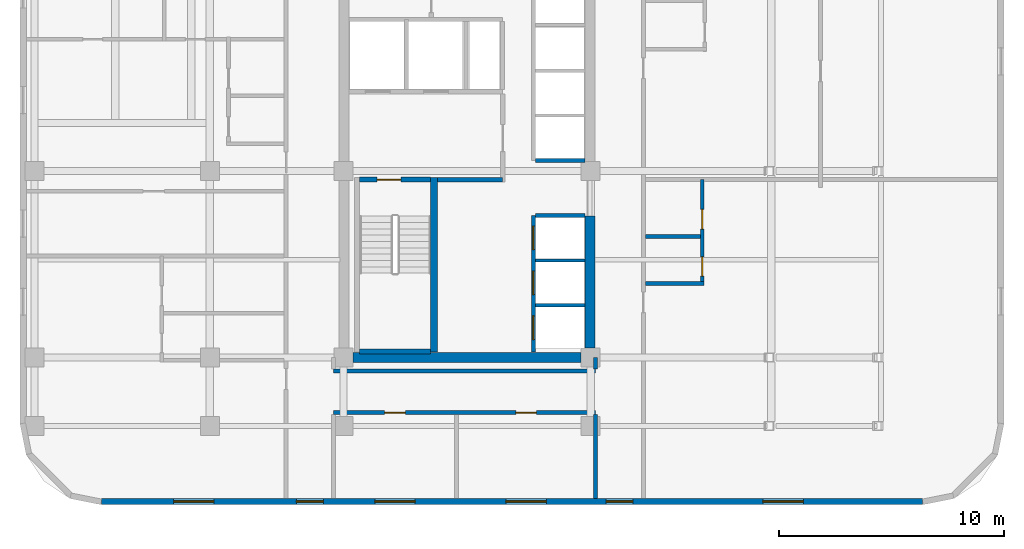
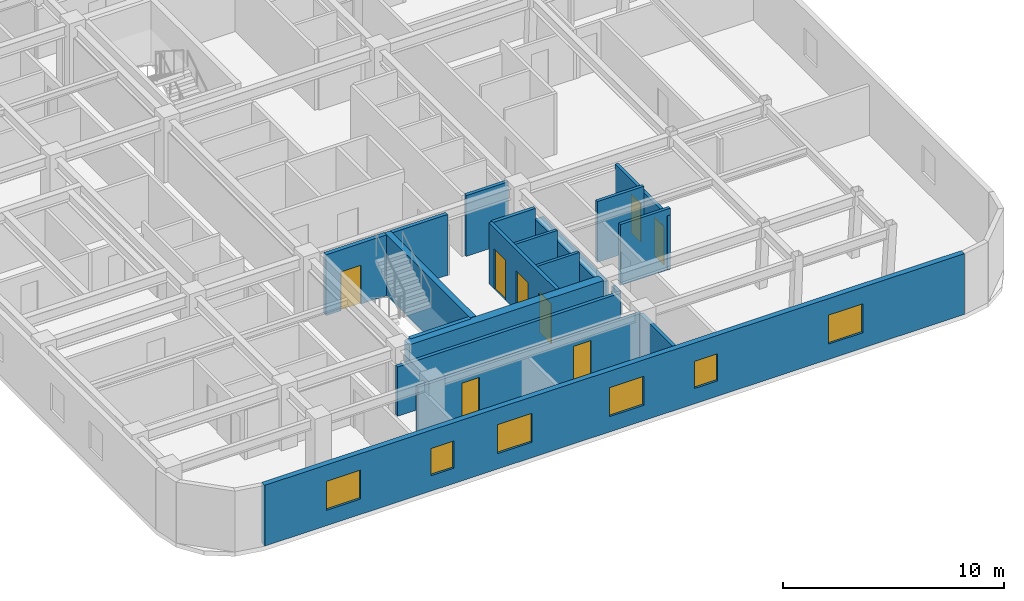
# One storey, part 3 of 8: 19 walls, 8 doors, 6 windows, 14 openings.
"""IFC4 building model written with IfcOpenShell, lengths in metres."""

from ifc_helpers import new_model, si_unit, direction, frame, frame_2d, origin, place, context, subcontext, project, spatial, rectangle, extrude, material, layer, layer_set, type_object, element, fill, save


model = new_model("IFC4")

# Units and contexts
model_context = context("Model", 3, precision=1e-05, world=origin(), true_north=direction((0.0, 1.0)))
body_context = subcontext(model_context, "Body", "Model", "MODEL_VIEW")
ifc_project = project(units=[si_unit("LENGTHUNIT", "METRE"), si_unit("AREAUNIT", "SQUARE_METRE"), si_unit("VOLUMEUNIT", "CUBIC_METRE"), si_unit("PLANEANGLEUNIT", "RADIAN"), si_unit("MASSUNIT", "GRAM", prefix="KILO")], contexts=[model_context])

# Site, building, storey
site_placement = place(None, origin())
site = spatial("IfcSite", under=ifc_project, at=site_placement, CompositionType="ELEMENT")
building_placement = place(site_placement, origin())
building = spatial("IfcBuilding", under=site, at=building_placement, Name="Ochreholt Gables", CompositionType="ELEMENT")
storey_placement = place(building_placement, frame((0.0, 0.0, 91.199951171875)))
storey = spatial("IfcBuildingStorey", under=building, at=storey_placement, Name="L23", CompositionType="ELEMENT", Elevation=91.199951171875)

# Walls
ifc_material_1 = material(Name="Concrete 60 MPa", Category="concrete")
ifc_layer_1 = layer(ifc_material_1, 0.449951171875, Name="Concrete 60 MPa")
ifc_layer_set_1 = layer_set([ifc_layer_1], Name="Concrete 60 MPa")
wall_type_1 = type_object("IfcWallType", Name="WALL-CSW-450", PredefinedType="SHEAR", material=ifc_layer_set_1)
wall_1_placement = place(storey_placement, frame((35.175048828125, 9.675048828125, 0.0), z_axis=(0.0, 0.0, 1.0), x_axis=(0.0, 1.0, 0.0)))
element("IfcWall", 1, at=wall_1_placement, inside=storey, type_object=wall_type_1, Name="L23 Core South-East Shear Wall", PredefinedType="SHEAR", context=body_context, shape_type="SweptSolid", body=[
    extrude(rectangle(XDim=5.875, YDim=0.449951171875, at=frame_2d((2.9375, 0.0))), origin(), (0.0, 0.0, 1.0), 2.7490234375),
])
wall_2_placement = place(storey_placement, frame((24.625, 9.25, 0.0), z_axis=(0.0, 0.0, 1.0), x_axis=(1.0, 0.0, 0.0)))
element("IfcWall", 2, at=wall_2_placement, inside=storey, type_object=wall_type_1, Name="L23 Core South Shear Wall", PredefinedType="SHEAR", context=body_context, shape_type="SweptSolid", body=[
    extrude(rectangle(XDim=10.14990234375, YDim=0.449951171875, at=frame_2d((5.074951171875, 0.0))), origin(), (0.0, 0.0, 1.0), 3.360107421875),
])

# Wall, openings, windows
ifc_material_2 = material(Name="Precast concrete 40 MPa", Category="concrete")
ifc_layer_2 = layer(ifc_material_2, 0.280029296875, Name="Precast concrete 40 MPa")
ifc_layer_set_2 = layer_set([ifc_layer_2], Name="Precast concrete 40 MPa")
wall_type_2 = type_object("IfcWallType", Name="WALL-EXT-280", PredefinedType="SOLIDWALL", material=ifc_layer_set_2)
wall_3_placement = place(storey_placement, frame((13.419921875, 2.840087890625, 0.0), z_axis=(0.0, 0.0, 1.0), x_axis=(1.0, 0.0, 0.0)))
wall_3 = element("IfcWall", 3, at=wall_3_placement, inside=storey, type_object=wall_type_2, Name="L23 South Exterior Wall", PredefinedType="SOLIDWALL", context=body_context, shape_type="SweptSolid", body=[
    extrude(rectangle(XDim=36.56005859375, YDim=0.280029296875, at=frame_2d((18.280029296875, 0.0))), origin(), (0.0, 0.0, 1.0), 3.360107421875),
])
opening_1_placement = place(wall_3_placement, frame((3.215087890625, 0.0, 0.85009765625)))
opening_1 = element("IfcOpeningElement", 4, at=opening_1_placement, cuts=wall_3, Name="Opening WN-1", PredefinedType="OPENING", context=body_context, shape_type="SweptSolid", body=[
    extrude(rectangle(XDim=1.800048828125, YDim=1.60009765625, at=frame_2d((0.89990234375, 0.800048828125))), frame((0.0, 0.14990234375, 0.0), z_axis=(0.0, -1.0, 0.0), x_axis=(1.0, 0.0, 0.0)), (0.0, 0.0, 1.0), 0.300048828125),
])
opening_2_placement = place(wall_3_placement, frame((8.679931640625, 0.0, 0.85009765625)))
opening_2 = element("IfcOpeningElement", 5, at=opening_2_placement, cuts=wall_3, Name="Opening WN-3", PredefinedType="OPENING", context=body_context, shape_type="SweptSolid", body=[
    extrude(rectangle(XDim=1.199951171875, YDim=1.5, at=frame_2d((0.60009765625, 0.75))), frame((0.0, 0.14990234375, 0.0), z_axis=(0.0, -1.0, 0.0), x_axis=(1.0, 0.0, 0.0)), (0.0, 0.0, 1.0), 0.300048828125),
])
opening_3_placement = place(wall_3_placement, frame((12.17236328125, 0.0, 0.85009765625)))
opening_3 = element("IfcOpeningElement", 6, at=opening_3_placement, cuts=wall_3, Name="Opening WN-1", PredefinedType="OPENING", context=body_context, shape_type="SweptSolid", body=[
    extrude(rectangle(XDim=1.800048828125, YDim=1.60009765625, at=frame_2d((0.89990234375, 0.800048828125))), frame((0.0, 0.14990234375, 0.0), z_axis=(0.0, -1.0, 0.0), x_axis=(1.0, 0.0, 0.0)), (0.0, 0.0, 1.0), 0.300048828125),
])
opening_4_placement = place(wall_3_placement, frame((18.007568359375, 0.0, 0.85009765625)))
opening_4 = element("IfcOpeningElement", 7, at=opening_4_placement, cuts=wall_3, Name="Opening WN-1", PredefinedType="OPENING", context=body_context, shape_type="SweptSolid", body=[
    extrude(rectangle(XDim=1.800048828125, YDim=1.60009765625, at=frame_2d((0.89990234375, 0.800048828125))), frame((0.0, 0.14990234375, 0.0), z_axis=(0.0, -1.0, 0.0), x_axis=(1.0, 0.0, 0.0)), (0.0, 0.0, 1.0), 0.300048828125),
])
opening_5_placement = place(wall_3_placement, frame((22.465087890625, 0.0, 0.85009765625)))
opening_5 = element("IfcOpeningElement", 8, at=opening_5_placement, cuts=wall_3, Name="Opening WN-3", PredefinedType="OPENING", context=body_context, shape_type="SweptSolid", body=[
    extrude(rectangle(XDim=1.199951171875, YDim=1.5, at=frame_2d((0.60009765625, 0.75))), frame((0.0, 0.14990234375, 0.0), z_axis=(0.0, -1.0, 0.0), x_axis=(1.0, 0.0, 0.0)), (0.0, 0.0, 1.0), 0.300048828125),
])
opening_6_placement = place(wall_3_placement, frame((29.445068359375, 0.0, 0.85009765625)))
opening_6 = element("IfcOpeningElement", 9, at=opening_6_placement, cuts=wall_3, Name="Opening WN-1", PredefinedType="OPENING", context=body_context, shape_type="SweptSolid", body=[
    extrude(rectangle(XDim=1.800048828125, YDim=1.60009765625, at=frame_2d((0.89990234375, 0.800048828125))), frame((0.0, 0.14990234375, 0.0), z_axis=(0.0, -1.0, 0.0), x_axis=(1.0, 0.0, 0.0)), (0.0, 0.0, 1.0), 0.300048828125),
])
ifc_material_3 = material(Name="Triple-Glazed Thermally Broken Aluminium Window", Category="aluminium")
window_type_1 = type_object("IfcWindowType", Name="WIN-RES-1200", PartitioningType="SINGLE_PANEL", PredefinedType="WINDOW", material=ifc_material_3)
window_1_placement = place(opening_2_placement, origin())
window_1 = element("IfcWindow", 10, at=window_1_placement, inside=storey, type_object=window_type_1, Name="L23 Window W-EXT-S-L23-2", OverallHeight=1.5, OverallWidth=1.199951171875, PartitioningType="SINGLE_PANEL", PredefinedType="WINDOW", context=body_context, shape_type="SweptSolid", body=[
    extrude(rectangle(XDim=1.199951171875, YDim=1.5, at=frame_2d((0.60009765625, 0.75))), frame((0.0, 0.030029296875, 0.0), z_axis=(0.0, -1.0, 0.0), x_axis=(1.0, 0.0, 0.0)), (0.0, 0.0, 1.0), 0.06005859375),
])
fill(opening_2, window_1)
window_2_placement = place(opening_5_placement, origin())
window_2 = element("IfcWindow", 11, at=window_2_placement, inside=storey, type_object=window_type_1, Name="L23 Window W-EXT-S-L23-5", OverallHeight=1.5, OverallWidth=1.199951171875, PartitioningType="SINGLE_PANEL", PredefinedType="WINDOW", context=body_context, shape_type="SweptSolid", body=[
    extrude(rectangle(XDim=1.199951171875, YDim=1.5, at=frame_2d((0.60009765625, 0.75))), frame((0.0, 0.030029296875, 0.0), z_axis=(0.0, -1.0, 0.0), x_axis=(1.0, 0.0, 0.0)), (0.0, 0.0, 1.0), 0.06005859375),
])
fill(opening_5, window_2)
window_type_2 = type_object("IfcWindowType", Name="WIN-RES-1800", PartitioningType="SINGLE_PANEL", PredefinedType="WINDOW", material=ifc_material_3)
window_3_placement = place(opening_1_placement, origin())
window_3 = element("IfcWindow", 12, at=window_3_placement, inside=storey, type_object=window_type_2, Name="L23 Window W-EXT-S-L23-1", OverallHeight=1.60009765625, OverallWidth=1.800048828125, PartitioningType="SINGLE_PANEL", PredefinedType="WINDOW", context=body_context, shape_type="SweptSolid", body=[
    extrude(rectangle(XDim=1.800048828125, YDim=1.60009765625, at=frame_2d((0.89990234375, 0.800048828125))), frame((0.0, 0.030029296875, 0.0), z_axis=(0.0, -1.0, 0.0), x_axis=(1.0, 0.0, 0.0)), (0.0, 0.0, 1.0), 0.06005859375),
])
fill(opening_1, window_3)
window_4_placement = place(opening_3_placement, origin())
window_4 = element("IfcWindow", 13, at=window_4_placement, inside=storey, type_object=window_type_2, Name="L23 Window W-EXT-S-L23-3", OverallHeight=1.60009765625, OverallWidth=1.800048828125, PartitioningType="SINGLE_PANEL", PredefinedType="WINDOW", context=body_context, shape_type="SweptSolid", body=[
    extrude(rectangle(XDim=1.800048828125, YDim=1.60009765625, at=frame_2d((0.89990234375, 0.800048828125))), frame((0.0, 0.030029296875, 0.0), z_axis=(0.0, -1.0, 0.0), x_axis=(1.0, 0.0, 0.0)), (0.0, 0.0, 1.0), 0.06005859375),
])
fill(opening_3, window_4)
window_5_placement = place(opening_4_placement, origin())
window_5 = element("IfcWindow", 14, at=window_5_placement, inside=storey, type_object=window_type_2, Name="L23 Window W-EXT-S-L23-4", OverallHeight=1.60009765625, OverallWidth=1.800048828125, PartitioningType="SINGLE_PANEL", PredefinedType="WINDOW", context=body_context, shape_type="SweptSolid", body=[
    extrude(rectangle(XDim=1.800048828125, YDim=1.60009765625, at=frame_2d((0.89990234375, 0.800048828125))), frame((0.0, 0.030029296875, 0.0), z_axis=(0.0, -1.0, 0.0), x_axis=(1.0, 0.0, 0.0)), (0.0, 0.0, 1.0), 0.06005859375),
])
fill(opening_4, window_5)
window_6_placement = place(opening_6_placement, origin())
window_6 = element("IfcWindow", 15, at=window_6_placement, inside=storey, type_object=window_type_2, Name="L23 Window W-EXT-S-L23-6", OverallHeight=1.60009765625, OverallWidth=1.800048828125, PartitioningType="SINGLE_PANEL", PredefinedType="WINDOW", context=body_context, shape_type="SweptSolid", body=[
    extrude(rectangle(XDim=1.800048828125, YDim=1.60009765625, at=frame_2d((0.89990234375, 0.800048828125))), frame((0.0, 0.030029296875, 0.0), z_axis=(0.0, -1.0, 0.0), x_axis=(1.0, 0.0, 0.0)), (0.0, 0.0, 1.0), 0.06005859375),
])
fill(opening_6, window_6)

# Wall
ifc_material_4 = material(Name="Concrete 40 MPa", Category="concrete")
ifc_layer_3 = layer(ifc_material_4, 0.199951171875, Name="Concrete 40 MPa")
ifc_layer_set_3 = layer_set([ifc_layer_3], Name="Concrete 40 MPa")
wall_type_3 = type_object("IfcWallType", Name="WALL-INT-CF200", PredefinedType="STANDARD", material=ifc_layer_set_3)
wall_4_placement = place(storey_placement, frame((28.3798828125, 17.169921875, 0.0), z_axis=(0.0, 0.0, 1.0), x_axis=(1.0, 0.0, 0.0)))
element("IfcWall", 16, at=wall_4_placement, inside=storey, type_object=wall_type_3, Name="L23 Interior Wall WI-FFS-L23", PredefinedType="STANDARD", context=body_context, shape_type="SweptSolid", body=[
    extrude(rectangle(XDim=2.900146484375, YDim=0.199951171875, at=frame_2d((1.4501953125, 0.0))), origin(), (0.0, 0.0, 1.0), 3.360107421875),
])

# Wall, openings, doors
ifc_material_5 = material(Name="Fire-Rated Gypsum Acoustic Partition", Category="gypsum")
ifc_layer_4 = layer(ifc_material_5, 0.179931640625, Name="Fire-Rated Gypsum Acoustic Partition")
ifc_layer_set_4 = layer_set([ifc_layer_4], Name="Fire-Rated Gypsum Acoustic Partition")
wall_type_4 = type_object("IfcWallType", Name="WALL-INT-CR180", PredefinedType="STANDARD", material=ifc_layer_set_4)
wall_5_placement = place(storey_placement, frame((23.75, 6.800048828125, 0.0), z_axis=(0.0, 0.0, 1.0), x_axis=(1.0, 0.0, 0.0)))
wall_5 = element("IfcWall", 17, at=wall_5_placement, inside=storey, type_object=wall_type_4, Name="L23 Interior Wall WI-C1S-L23", PredefinedType="STANDARD", context=body_context, shape_type="SweptSolid", body=[
    extrude(rectangle(XDim=11.669921875, YDim=0.179931640625, at=frame_2d((5.8349609375, 0.0))), origin(), (0.0, 0.0, 1.0), 2.73095703125),
])
opening_7_placement = place(wall_5_placement, frame((2.282470703125, 0.0, 0.0)))
opening_7 = element("IfcOpeningElement", 18, at=opening_7_placement, cuts=wall_5, Name="Opening D-UN1", PredefinedType="OPENING", context=body_context, shape_type="SweptSolid", body=[
    extrude(rectangle(XDim=0.919921875, YDim=2.14990234375, at=frame_2d((0.4599609375, 1.074951171875))), frame((0.0, 0.099853515625, 0.0), z_axis=(0.0, -1.0, 0.0), x_axis=(1.0, 0.0, 0.0)), (0.0, 0.0, 1.0), 0.199951171875),
])
opening_8_placement = place(wall_5_placement, frame((8.117431640625, 0.0, 0.0)))
opening_8 = element("IfcOpeningElement", 19, at=opening_8_placement, cuts=wall_5, Name="Opening D-UN1", PredefinedType="OPENING", context=body_context, shape_type="SweptSolid", body=[
    extrude(rectangle(XDim=0.919921875, YDim=2.14990234375, at=frame_2d((0.4599609375, 1.074951171875))), frame((0.0, 0.099853515625, 0.0), z_axis=(0.0, -1.0, 0.0), x_axis=(1.0, 0.0, 0.0)), (0.0, 0.0, 1.0), 0.199951171875),
])
ifc_material_6 = material(Name="Engineered Oak Timber", Category="wood")
door_type_1 = type_object("IfcDoorType", Name="DR-INT-UNT920", OperationType="NOTDEFINED", PredefinedType="DOOR", material=ifc_material_6)
door_1_placement = place(opening_7_placement, origin())
door_1 = element("IfcDoor", 20, at=door_1_placement, inside=storey, type_object=door_type_1, Name="L23 Door D-U-L23S1-ENT", OperationType="SINGLE_SWING_LEFT", OverallHeight=2.14990234375, OverallWidth=0.919921875, PredefinedType="DOOR", context=body_context, shape_type="SweptSolid", body=[
    extrude(rectangle(XDim=0.919921875, YDim=2.14990234375, at=frame_2d((0.4599609375, 1.074951171875))), frame((0.0, 0.02490234375, 0.0), z_axis=(0.0, -1.0, 0.0), x_axis=(1.0, 0.0, 0.0)), (0.0, 0.0, 1.0), 0.050048828125),
])
fill(opening_7, door_1)
door_2_placement = place(opening_8_placement, origin())
door_2 = element("IfcDoor", 21, at=door_2_placement, inside=storey, type_object=door_type_1, Name="L23 Door D-U-L23S2-ENT", OperationType="SINGLE_SWING_LEFT", OverallHeight=2.14990234375, OverallWidth=0.919921875, PredefinedType="DOOR", context=body_context, shape_type="SweptSolid", body=[
    extrude(rectangle(XDim=0.919921875, YDim=2.14990234375, at=frame_2d((0.4599609375, 1.074951171875))), frame((0.0, 0.02490234375, 0.0), z_axis=(0.0, -1.0, 0.0), x_axis=(1.0, 0.0, 0.0)), (0.0, 0.0, 1.0), 0.050048828125),
])
fill(opening_8, door_2)

# Walls
wall_6_placement = place(storey_placement, frame((23.75, 8.64990234375, 0.0), z_axis=(0.0, 0.0, 1.0), x_axis=(1.0, 0.0, 0.0)))
element("IfcWall", 22, at=wall_6_placement, inside=storey, type_object=wall_type_4, Name="L23 Interior Wall WI-C1S2-L23", PredefinedType="STANDARD", context=body_context, shape_type="SweptSolid", body=[
    extrude(rectangle(XDim=11.669921875, YDim=0.179931640625, at=frame_2d((5.8349609375, 0.0))), origin(), (0.0, 0.0, 1.0), 2.73095703125),
])
wall_7_placement = place(storey_placement, frame((35.419921875, 8.739990234375, 0.0), z_axis=(0.0, 0.0, 1.0), x_axis=(0.0, 1.0, 0.0)))
element("IfcWall", 23, at=wall_7_placement, inside=storey, type_object=wall_type_4, Name="L23 Interior Wall WI-C1ESW2-L23", PredefinedType="STANDARD", context=body_context, shape_type="SweptSolid", body=[
    extrude(rectangle(XDim=0.510009765625, YDim=0.179931640625, at=frame_2d((0.2548828125, 0.0))), origin(), (0.0, 0.0, 1.0), 2.73095703125),
])
ifc_material_7 = material(Name="Double-Stud Acoustic Demising Wall", Category="gypsum")
ifc_layer_5 = layer(ifc_material_7, 0.179931640625, Name="Double-Stud Acoustic Demising Wall")
ifc_layer_set_5 = layer_set([ifc_layer_5], Name="Double-Stud Acoustic Demising Wall")
wall_type_5 = type_object("IfcWallType", Name="WALL-INT-DM180", PredefinedType="PARTITIONING", material=ifc_layer_set_5)
wall_8_placement = place(storey_placement, frame((35.419921875, 2.97998046875, 0.0), z_axis=(0.0, 0.0, 1.0), x_axis=(0.0, 1.0, 0.0)))
element("IfcWall", 24, at=wall_8_placement, inside=storey, type_object=wall_type_5, Name="L23 Interior Wall WI-C1ESW-L23", PredefinedType="PARTITIONING", context=body_context, shape_type="SweptSolid", body=[
    extrude(rectangle(XDim=3.72998046875, YDim=0.179931640625, at=frame_2d((1.864990234375, 0.0))), origin(), (0.0, 0.0, 1.0), 2.73095703125),
])
ifc_material_8 = material(Name="Moisture-Resistant Plumbing Chase Wall", Category="gypsum")
ifc_layer_6 = layer(ifc_material_8, 0.159912109375, Name="Moisture-Resistant Plumbing Chase Wall")
ifc_layer_set_6 = layer_set([ifc_layer_6], Name="Moisture-Resistant Plumbing Chase Wall")
wall_type_6 = type_object("IfcWallType", Name="WALL-INT-PL160", PredefinedType="PLUMBINGWALL", material=ifc_layer_set_6)
wall_9_placement = place(storey_placement, frame((37.639892578125, 12.5439453125, 0.0), z_axis=(0.0, 0.0, 1.0), x_axis=(1.0, 0.0, 0.0)))
element("IfcWall", 25, at=wall_9_placement, inside=storey, type_object=wall_type_6, Name="L23 Interior Wall WU-L23E1-WYS", PredefinedType="PLUMBINGWALL", context=body_context, shape_type="SweptSolid", body=[
    extrude(rectangle(XDim=2.606201171875, YDim=0.159912109375, at=frame_2d((1.30322265625, 0.0))), origin(), (0.0, 0.0, 1.0), 3.360107421875),
])

# Wall, openings, doors
wall_10_placement = place(storey_placement, frame((40.166015625, 12.4541015625, 0.0), z_axis=(0.0, 0.0, 1.0), x_axis=(0.0, 1.0, 0.0)))
wall_10 = element("IfcWall", 26, at=wall_10_placement, inside=storey, type_object=wall_type_6, Name="L23 Interior Wall WU-L23E1-WX", PredefinedType="PLUMBINGWALL", context=body_context, shape_type="SweptSolid", body=[
    extrude(rectangle(XDim=4.72998046875, YDim=0.159912109375, at=frame_2d((2.364990234375, 0.0))), origin(), (0.0, 0.0, 1.0), 2.988037109375),
])
opening_9_placement = place(wall_10_placement, frame((0.419921875, 0.0, 0.0)))
opening_9 = element("IfcOpeningElement", 27, at=opening_9_placement, cuts=wall_10, Name="Opening D-BT1", PredefinedType="OPENING", context=body_context, shape_type="SweptSolid", body=[
    extrude(rectangle(XDim=0.860107421875, YDim=2.1201171875, at=frame_2d((0.43017578125, 1.06005859375))), frame((0.0, 0.08984375, 0.0), z_axis=(0.0, -1.0, 0.0), x_axis=(1.0, 0.0, 0.0)), (0.0, 0.0, 1.0), 0.179931640625),
])
opening_10_placement = place(wall_10_placement, frame((2.512939453125, 0.0, 0.0)))
opening_10 = element("IfcOpeningElement", 28, at=opening_10_placement, cuts=wall_10, Name="Opening D-GN2", PredefinedType="OPENING", context=body_context, shape_type="SweptSolid", body=[
    extrude(rectangle(XDim=0.8798828125, YDim=2.1201171875, at=frame_2d((0.43994140625, 1.06005859375))), frame((0.0, 0.08984375, 0.0), z_axis=(0.0, -1.0, 0.0), x_axis=(1.0, 0.0, 0.0)), (0.0, 0.0, 1.0), 0.179931640625),
])
door_type_2 = type_object("IfcDoorType", Name="DR-INT-BTH860", OperationType="NOTDEFINED", PredefinedType="DOOR", material=ifc_material_6)
door_3_placement = place(opening_9_placement, origin())
door_3 = element("IfcDoor", 29, at=door_3_placement, inside=storey, type_object=door_type_2, Name="L23 Door D-U-L23E1-BTH", OperationType="SINGLE_SWING_LEFT", OverallHeight=2.1201171875, OverallWidth=0.860107421875, PredefinedType="DOOR", context=body_context, shape_type="SweptSolid", body=[
    extrude(rectangle(XDim=0.860107421875, YDim=2.1201171875, at=frame_2d((0.43017578125, 1.06005859375))), frame((0.0, 0.02490234375, 0.0), z_axis=(0.0, -1.0, 0.0), x_axis=(1.0, 0.0, 0.0)), (0.0, 0.0, 1.0), 0.050048828125),
])
fill(opening_9, door_3)
door_type_3 = type_object("IfcDoorType", Name="DR-INT-GEN880", OperationType="NOTDEFINED", PredefinedType="DOOR", material=ifc_material_6)
door_4_placement = place(opening_10_placement, origin())
door_4 = element("IfcDoor", 30, at=door_4_placement, inside=storey, type_object=door_type_3, Name="L23 Door D-U-L23E1-KIT", OperationType="SINGLE_SWING_RIGHT", OverallHeight=2.1201171875, OverallWidth=0.8798828125, PredefinedType="DOOR", context=body_context, shape_type="SweptSolid", body=[
    extrude(rectangle(XDim=0.8798828125, YDim=2.1201171875, at=frame_2d((0.43994140625, 1.06005859375))), frame((0.0, 0.02490234375, 0.0), z_axis=(0.0, -1.0, 0.0), x_axis=(1.0, 0.0, 0.0)), (0.0, 0.0, 1.0), 0.050048828125),
])
fill(opening_10, door_4)

# Walls
wall_11_placement = place(storey_placement, frame((37.639892578125, 14.636962890625, 0.0), z_axis=(0.0, 0.0, 1.0), x_axis=(1.0, 0.0, 0.0)))
element("IfcWall", 31, at=wall_11_placement, inside=storey, type_object=wall_type_6, Name="L23 Interior Wall WU-L23E1-WM", PredefinedType="PLUMBINGWALL", context=body_context, shape_type="SweptSolid", body=[
    extrude(rectangle(XDim=2.446044921875, YDim=0.159912109375, at=frame_2d((1.22314453125, 0.0))), origin(), (0.0, 0.0, 1.0), 3.360107421875),
])
ifc_material_9 = material(Name="Gypsum Shaftliner and Steel Stud", Category="steel")
ifc_layer_7 = layer(ifc_material_9, 0.14990234375, Name="Gypsum Shaftliner and Steel Stud")
ifc_layer_set_7 = layer_set([ifc_layer_7], Name="Gypsum Shaftliner and Steel Stud")
wall_type_7 = type_object("IfcWallType", Name="WALL-INT-SH150", PredefinedType="STANDARD", material=ifc_layer_set_7)
for number, where, z_axis, x_axis, name in (
    (32, (32.739990234375, 11.570068359375, 0.0), (0.0, 0.0, 1.0), (1.0, 0.0, 0.0), "L23 Interior Wall WI-LFL-D1-L23"),
    (33, (32.739990234375, 13.570068359375, 0.0), (0.0, 0.0, 1.0), (1.0, 0.0, 0.0), "L23 Interior Wall WI-LFL-D2-L23"),
):
    element("IfcWall", number, at=place(storey_placement, frame(where, z_axis=z_axis, x_axis=x_axis)), inside=storey, type_object=wall_type_7, Name=name, PredefinedType="STANDARD", context=body_context, shape_type="SweptSolid", body=[
        extrude(rectangle(XDim=2.2099609375, YDim=0.14990234375, at=frame_2d((1.10498046875, 0.0))), origin(), (0.0, 0.0, 1.0), 3.360107421875),
    ])

# Wall, openings, doors
ifc_layer_8 = layer(ifc_material_9, 0.179931640625, Name="Gypsum Shaftliner and Steel Stud")
ifc_layer_set_8 = layer_set([ifc_layer_8], Name="Gypsum Shaftliner and Steel Stud")
wall_type_8 = type_object("IfcWallType", Name="WALL-INT-SH180", PredefinedType="STANDARD", material=ifc_layer_set_8)
wall_12_placement = place(storey_placement, frame((32.64990234375, 9.5, 0.0), z_axis=(0.0, 0.0, 1.0), x_axis=(0.0, 1.0, 0.0)))
wall_12 = element("IfcWall", 34, at=wall_12_placement, inside=storey, type_object=wall_type_8, Name="L23 Interior Wall WI-LFL-FR-L23", PredefinedType="STANDARD", context=body_context, shape_type="SweptSolid", body=[
    extrude(rectangle(XDim=6.080078125, YDim=0.179931640625, at=frame_2d((3.0400390625, 0.0))), origin(), (0.0, 0.0, 1.0), 3.360107421875),
])
opening_11_placement = place(wall_12_placement, frame((0.550048828125, 0.0, 0.0)))
opening_11 = element("IfcOpeningElement", 35, at=opening_11_placement, cuts=wall_12, Name="Opening LD-PX", PredefinedType="OPENING", context=body_context, shape_type="SweptSolid", body=[
    extrude(rectangle(XDim=1.050048828125, YDim=2.199951171875, at=frame_2d((0.52490234375, 1.10009765625))), frame((0.0, 0.099853515625, 0.0), z_axis=(0.0, -1.0, 0.0), x_axis=(1.0, 0.0, 0.0)), (0.0, 0.0, 1.0), 0.199951171875),
])
opening_12_placement = place(wall_12_placement, frame((2.550048828125, 0.0, 0.0)))
opening_12 = element("IfcOpeningElement", 36, at=opening_12_placement, cuts=wall_12, Name="Opening LD-PX", PredefinedType="OPENING", context=body_context, shape_type="SweptSolid", body=[
    extrude(rectangle(XDim=1.050048828125, YDim=2.199951171875, at=frame_2d((0.52490234375, 1.10009765625))), frame((0.0, 0.099853515625, 0.0), z_axis=(0.0, -1.0, 0.0), x_axis=(1.0, 0.0, 0.0)), (0.0, 0.0, 1.0), 0.199951171875),
])
opening_13_placement = place(wall_12_placement, frame((4.550048828125, 0.0, 0.0)))
opening_13 = element("IfcOpeningElement", 37, at=opening_13_placement, cuts=wall_12, Name="Opening LD-PX", PredefinedType="OPENING", context=body_context, shape_type="SweptSolid", body=[
    extrude(rectangle(XDim=1.050048828125, YDim=2.199951171875, at=frame_2d((0.52490234375, 1.10009765625))), frame((0.0, 0.099853515625, 0.0), z_axis=(0.0, -1.0, 0.0), x_axis=(1.0, 0.0, 0.0)), (0.0, 0.0, 1.0), 0.199951171875),
])
ifc_material_10 = material(Name="Stainless Steel", Category="steel")
door_type_4 = type_object("IfcDoorType", Name="DR-LFT-PX1050", OperationType="NOTDEFINED", PredefinedType="DOOR", material=ifc_material_10)
door_5_placement = place(opening_11_placement, origin())
door_5 = element("IfcDoor", 38, at=door_5_placement, inside=storey, type_object=door_type_4, Name="L23 Door LD-L1-L23", OperationType="SLIDING_TO_LEFT", OverallHeight=2.199951171875, OverallWidth=1.050048828125, PredefinedType="DOOR", context=body_context, shape_type="SweptSolid", body=[
    extrude(rectangle(XDim=1.050048828125, YDim=2.199951171875, at=frame_2d((0.52490234375, 1.10009765625))), frame((0.0, 0.02490234375, 0.0), z_axis=(0.0, -1.0, 0.0), x_axis=(1.0, 0.0, 0.0)), (0.0, 0.0, 1.0), 0.050048828125),
])
fill(opening_11, door_5)
door_6_placement = place(opening_12_placement, origin())
door_6 = element("IfcDoor", 39, at=door_6_placement, inside=storey, type_object=door_type_4, Name="L23 Door LD-L2-L23", OperationType="SLIDING_TO_LEFT", OverallHeight=2.199951171875, OverallWidth=1.050048828125, PredefinedType="DOOR", context=body_context, shape_type="SweptSolid", body=[
    extrude(rectangle(XDim=1.050048828125, YDim=2.199951171875, at=frame_2d((0.52490234375, 1.10009765625))), frame((0.0, 0.02490234375, 0.0), z_axis=(0.0, -1.0, 0.0), x_axis=(1.0, 0.0, 0.0)), (0.0, 0.0, 1.0), 0.050048828125),
])
fill(opening_12, door_6)
door_7_placement = place(opening_13_placement, origin())
door_7 = element("IfcDoor", 40, at=door_7_placement, inside=storey, type_object=door_type_4, Name="L23 Door LD-L3-L23", OperationType="SLIDING_TO_LEFT", OverallHeight=2.199951171875, OverallWidth=1.050048828125, PredefinedType="DOOR", context=body_context, shape_type="SweptSolid", body=[
    extrude(rectangle(XDim=1.050048828125, YDim=2.199951171875, at=frame_2d((0.52490234375, 1.10009765625))), frame((0.0, 0.02490234375, 0.0), z_axis=(0.0, -1.0, 0.0), x_axis=(1.0, 0.0, 0.0)), (0.0, 0.0, 1.0), 0.050048828125),
])
fill(opening_13, door_7)

# Walls
for number, where, z_axis, x_axis, name in (
    (41, (32.739990234375, 15.580078125, 0.0), (0.0, 0.0, 1.0), (1.0, 0.0, 0.0), "L23 Interior Wall WI-LFL-N-L23"),
    (42, (32.739990234375, 18.02001953125, 0.0), (0.0, 0.0, 1.0), (1.0, 0.0, 0.0), "L23 Interior Wall WI-LFHE-S-L23"),
):
    element("IfcWall", number, at=place(storey_placement, frame(where, z_axis=z_axis, x_axis=x_axis)), inside=storey, type_object=wall_type_8, Name=name, PredefinedType="STANDARD", context=body_context, shape_type="SweptSolid", body=[
        extrude(rectangle(XDim=2.2099609375, YDim=0.179931640625, at=frame_2d((1.10498046875, 0.0))), origin(), (0.0, 0.0, 1.0), 3.360107421875),
    ])
ifc_layer_9 = layer(ifc_material_1, 0.300048828125, Name="Concrete 60 MPa")
ifc_layer_set_9 = layer_set([ifc_layer_9], Name="Concrete 60 MPa")
wall_type_9 = type_object("IfcWallType", Name="WALL-SPN-300", PredefinedType="SHEAR", material=ifc_layer_set_9)
wall_13_placement = place(storey_placement, frame((28.22998046875, 9.5, 0.0), z_axis=(0.0, 0.0, 1.0), x_axis=(0.0, 1.0, 0.0)))
element("IfcWall", 43, at=wall_13_placement, inside=storey, type_object=wall_type_9, Name="L23 Core South Spine Shear Wall", PredefinedType="SHEAR", context=body_context, shape_type="SweptSolid", body=[
    extrude(rectangle(XDim=7.760009765625, YDim=0.300048828125, at=frame_2d((3.8798828125, 0.0))), origin(), (0.0, 0.0, 1.0), 3.360107421875),
])
ifc_material_11 = material(Name="Concrete 50 MPa", Category="concrete")
ifc_layer_10 = layer(ifc_material_11, 0.219970703125, Name="Concrete 50 MPa")
ifc_layer_set_10 = layer_set([ifc_layer_10], Name="Concrete 50 MPa")
wall_type_10 = type_object("IfcWallType", Name="WALL-STW-220", PredefinedType="SHEAR", material=ifc_layer_set_10)
wall_14_placement = place(storey_placement, frame((24.919921875, 9.510009765625, 0.0), z_axis=(0.0, 0.0, 1.0), x_axis=(1.0, 0.0, 0.0)))
element("IfcWall", 44, at=wall_14_placement, inside=storey, type_object=wall_type_10, Name="L23 Exit Stair 1 South Wall", PredefinedType="SHEAR", context=body_context, shape_type="SweptSolid", body=[
    extrude(rectangle(XDim=3.16015625, YDim=0.219970703125, at=frame_2d((1.580078125, 0.0))), origin(), (0.0, 0.0, 1.0), 3.360107421875),
])

# Wall, opening, door
wall_15_placement = place(storey_placement, frame((24.919921875, 17.169921875, 0.0), z_axis=(0.0, 0.0, 1.0), x_axis=(1.0, 0.0, 0.0)))
wall_15 = element("IfcWall", 45, at=wall_15_placement, inside=storey, type_object=wall_type_10, Name="L23 Exit Stair 1 North Wall", PredefinedType="SHEAR", context=body_context, shape_type="SweptSolid", body=[
    extrude(rectangle(XDim=3.16015625, YDim=0.219970703125, at=frame_2d((1.580078125, 0.0))), origin(), (0.0, 0.0, 1.0), 3.360107421875),
])
opening_14_placement = place(wall_15_placement, frame((0.780029296875, 0.0, 0.0)))
opening_14 = element("IfcOpeningElement", 46, at=opening_14_placement, cuts=wall_15, Name="Opening D-STC", PredefinedType="OPENING", context=body_context, shape_type="SweptSolid", body=[
    extrude(rectangle(XDim=1.050048828125, YDim=2.14990234375, at=frame_2d((0.52490234375, 1.074951171875))), frame((0.0, 0.119873046875, 0.0), z_axis=(0.0, -1.0, 0.0), x_axis=(1.0, 0.0, 0.0)), (0.0, 0.0, 1.0), 0.239990234375),
])
ifc_material_12 = material(Name="Hollow Metal Steel", Category="steel")
door_type_5 = type_object("IfcDoorType", Name="DR-INT-ST1050", OperationType="NOTDEFINED", PredefinedType="DOOR", material=ifc_material_12)
door_8_placement = place(opening_14_placement, frame((1.050048828125, 0.0, 0.0), z_axis=(0.0, 0.0, 1.0), x_axis=(-1.0, 0.0, 0.0)))
door_8 = element("IfcDoor", 47, at=door_8_placement, inside=storey, type_object=door_type_5, Name="L23 Door D-ST1-L23", OperationType="SINGLE_SWING_LEFT", OverallHeight=2.14990234375, OverallWidth=1.050048828125, PredefinedType="DOOR", context=body_context, shape_type="SweptSolid", body=[
    extrude(rectangle(XDim=1.050048828125, YDim=2.14990234375, at=frame_2d((0.52490234375, 1.074951171875))), frame((0.0, 0.02490234375, 0.0), z_axis=(0.0, -1.0, 0.0), x_axis=(1.0, 0.0, 0.0)), (0.0, 0.0, 1.0), 0.050048828125),
])
fill(opening_14, door_8)

save(model, "model.ifc")
